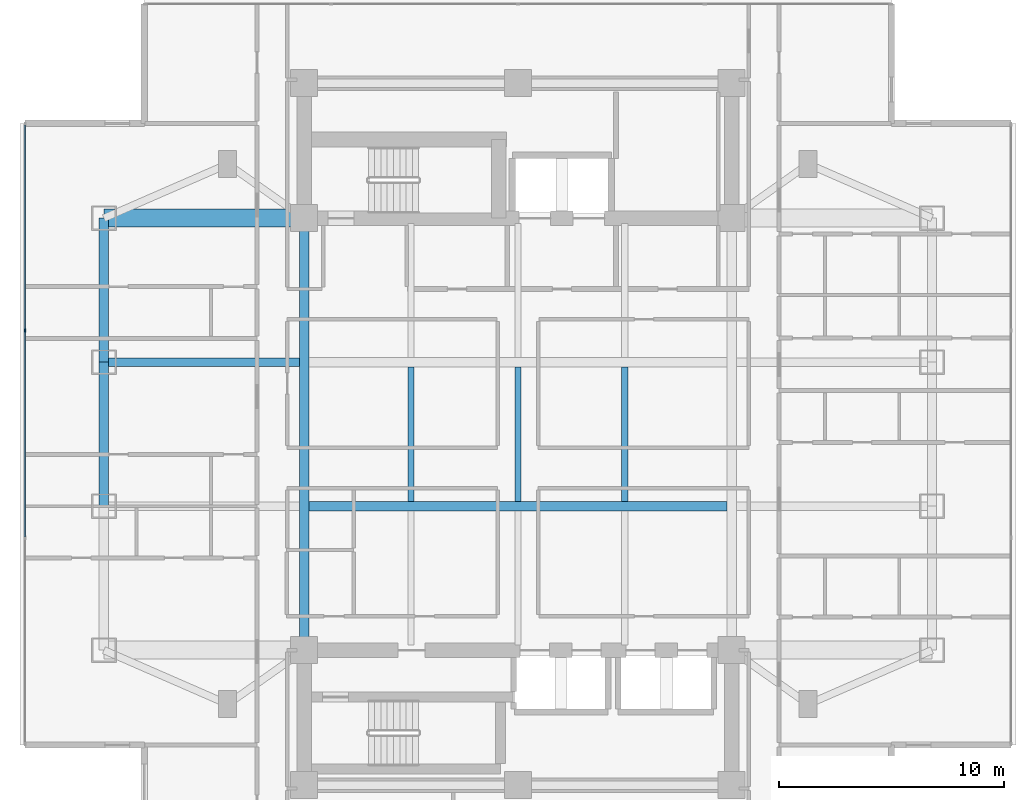
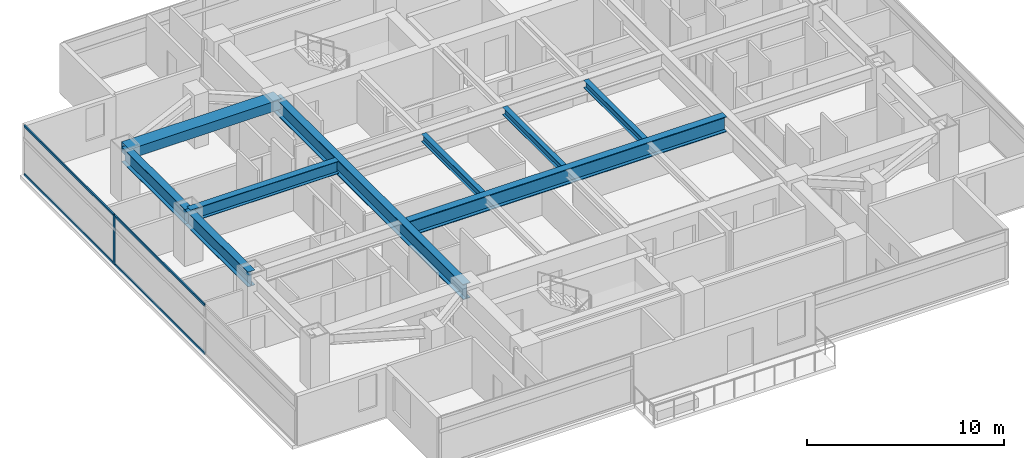
# One storey, part 3 of 26: 9 beams, 5 members, 1 element without a shape of its own.
"""IFC4 building model written with IfcOpenShell, lengths in metres."""

from ifc_helpers import new_model, si_unit, direction, frame, origin, origin_2d, place, context, subcontext, project, spatial, rectangle, i_section, extrude, material, material_profile, profile_set, type_object, element, aggregate, save


model = new_model("IFC4")

# Units and contexts
model_context = context("Model", 3, precision=1e-05, world=origin(), true_north=direction((0.0, 1.0)))
body_context = subcontext(model_context, "Body", "Model", "MODEL_VIEW")
ifc_project = project(units=[si_unit("LENGTHUNIT", "METRE"), si_unit("AREAUNIT", "SQUARE_METRE"), si_unit("VOLUMEUNIT", "CUBIC_METRE"), si_unit("PLANEANGLEUNIT", "RADIAN"), si_unit("MASSUNIT", "GRAM", prefix="KILO")], contexts=[model_context])

# Site, building, storey
site_placement = place(None, origin())
site = spatial("IfcSite", under=ifc_project, at=site_placement, CompositionType="ELEMENT")
building_placement = place(site_placement, origin())
building = spatial("IfcBuilding", under=site, at=building_placement, Name="Mirazonda Arch Towers", CompositionType="ELEMENT")
storey_placement = place(building_placement, frame((0.0, 0.0, 108.199951171875)))
storey = spatial("IfcBuildingStorey", under=building, at=storey_placement, Name="L30", CompositionType="ELEMENT", Elevation=108.199951171875)

# Beams
ifc_material_1 = material(Name="Steel ASTM A992 Grade 50", Category="steel")
ifc_material_profile_1 = material_profile(ifc_material_1, i_section(OverallWidth=0.41796875, OverallDepth=0.927001953125, WebThickness=0.019287109375, FlangeThickness=0.031982421875, at=origin_2d()), Name="W36X231")
ifc_profile_set_1 = profile_set([ifc_material_profile_1], Name="Steel ASTM A992 Grade 50")
beam_type_1 = type_object("IfcBeamType", Name="BM-EXT-W36X231", PredefinedType="USERDEFINED", material=ifc_profile_set_1)
beam_1_placement = place(storey_placement, frame((2.10009765625, 24.800048828125, 2.616455078125), z_axis=(0.0, 1.0, 0.0), x_axis=(-1.0, 0.0, 0.0)))
element("IfcBeam", 1, at=beam_1_placement, inside=storey, type_object=beam_type_1, Name="L30 Floor Beam BM-T1-L30-NS-W-24", ObjectType="GIRDER", PredefinedType="USERDEFINED", context=body_context, shape_type="SweptSolid", body=[
    extrude(i_section(OverallWidth=0.41796875, OverallDepth=0.927001953125, WebThickness=0.019287109375, FlangeThickness=0.031982421875, at=origin_2d()), origin(), (0.0, 0.0, 1.0), 6.39990234375),
])
beam_2_placement = place(storey_placement, frame((2.10009765625, 31.199951171875, 2.616455078125), z_axis=(0.0, 1.0, 0.0), x_axis=(-1.0, 0.0, 0.0)))
element("IfcBeam", 2, at=beam_2_placement, inside=storey, type_object=beam_type_1, Name="L30 Floor Beam BM-T1-L30-NS-W-31", ObjectType="GIRDER", PredefinedType="USERDEFINED", context=body_context, shape_type="SweptSolid", body=[
    extrude(i_section(OverallWidth=0.41796875, OverallDepth=0.927001953125, WebThickness=0.019287109375, FlangeThickness=0.031982421875, at=origin_2d()), origin(), (0.0, 0.0, 1.0), 6.400146484375),
])
ifc_material_profile_2 = material_profile(ifc_material_1, i_section(OverallWidth=0.280029296875, OverallDepth=0.462890625, WebThickness=0.0107421875, FlangeThickness=0.017333984375, at=origin_2d()), Name="W18X76")
ifc_profile_set_2 = profile_set([ifc_material_profile_2], Name="Steel ASTM A992 Grade 50")
beam_type_2 = type_object("IfcBeamType", Name="BM-INT-W18X76", PredefinedType="JOIST", material=ifc_profile_set_2)
for number, where, z_axis, x_axis, name in (
    (3, (15.75, 25.007568359375, 2.8486328125), (0.0, 1.0, 0.0), (-1.0, 0.0, 0.0), "L30 Floor Beam BM-T1-L30-J-157-24"),
    (4, (20.5, 25.007568359375, 2.8486328125), (0.0, 1.0, 0.0), (-1.0, 0.0, 0.0), "L30 Floor Beam BM-T1-L30-J-205-24"),
    (5, (25.25, 25.007568359375, 2.8486328125), (0.0, 1.0, 0.0), (-1.0, 0.0, 0.0), "L30 Floor Beam BM-T1-L30-J-252-24"),
):
    element("IfcBeam", number, at=place(storey_placement, frame(where, z_axis=z_axis, x_axis=x_axis)), inside=storey, type_object=beam_type_2, Name=name, PredefinedType="JOIST", context=body_context, shape_type="SweptSolid", body=[
        extrude(i_section(OverallWidth=0.280029296875, OverallDepth=0.462890625, WebThickness=0.0107421875, FlangeThickness=0.017333984375, at=origin_2d()), origin(), (0.0, 0.0, 1.0), 5.98486328125),
    ])
ifc_material_profile_3 = material_profile(ifc_material_1, i_section(OverallWidth=0.381103515625, OverallDepth=0.77294921875, WebThickness=0.0166015625, FlangeThickness=0.027099609375, at=origin_2d()), Name="W30X173")
ifc_profile_set_3 = profile_set([ifc_material_profile_3], Name="Steel ASTM A992 Grade 50")
beam_type_3 = type_object("IfcBeamType", Name="BM-INT-W30X173", PredefinedType="USERDEFINED", material=ifc_profile_set_3)
beam_3_placement = place(storey_placement, frame((2.10009765625, 31.199951171875, 2.693603515625), z_axis=(1.0, 0.0, 0.0), x_axis=(0.0, 1.0, 0.0)))
element("IfcBeam", 6, at=beam_3_placement, inside=storey, type_object=beam_type_3, Name="L30 Floor Beam BM-T1-L30-GW3", ObjectType="GIRDER", PredefinedType="USERDEFINED", context=body_context, shape_type="SweptSolid", body=[
    extrude(i_section(OverallWidth=0.381103515625, OverallDepth=0.77294921875, WebThickness=0.0166015625, FlangeThickness=0.027099609375, at=origin_2d()), origin(), (0.0, 0.0, 1.0), 8.6884765625),
])
ifc_material_profile_4 = material_profile(ifc_material_1, i_section(OverallWidth=0.423095703125, OverallDepth=0.947998046875, WebThickness=0.02392578125, FlangeThickness=0.042724609375, at=origin_2d()), Name="W36X302")
ifc_profile_set_4 = profile_set([ifc_material_profile_4], Name="Steel ASTM A992 Grade 50")
beam_type_4 = type_object("IfcBeamType", Name="BM-INT-W36X302", PredefinedType="USERDEFINED", material=ifc_profile_set_4)
beam_4_placement = place(storey_placement, frame((11.21142578125, 24.800048828125, 2.60595703125), z_axis=(1.0, 0.0, 0.0), x_axis=(0.0, 1.0, 0.0)))
element("IfcBeam", 7, at=beam_4_placement, inside=storey, type_object=beam_type_4, Name="L30 Floor Beam BM-T1-L30-GC2", ObjectType="GIRDER", PredefinedType="USERDEFINED", context=body_context, shape_type="SweptSolid", body=[
    extrude(i_section(OverallWidth=0.423095703125, OverallDepth=0.947998046875, WebThickness=0.02392578125, FlangeThickness=0.042724609375, at=origin_2d()), origin(), (0.0, 0.0, 1.0), 18.5771484375),
])
beam_5_placement = place(storey_placement, frame((11.0, 18.39990234375, 2.60595703125), z_axis=(0.0, 1.0, 0.0), x_axis=(-1.0, 0.0, 0.0)))
element("IfcBeam", 8, at=beam_5_placement, inside=storey, type_object=beam_type_4, Name="L30 Floor Beam BM-T1-L30-NS-CW-FULL", ObjectType="GIRDER", PredefinedType="USERDEFINED", context=body_context, shape_type="SweptSolid", body=[
    extrude(i_section(OverallWidth=0.423095703125, OverallDepth=0.947998046875, WebThickness=0.02392578125, FlangeThickness=0.042724609375, at=origin_2d()), origin(), (0.0, 0.0, 1.0), 19.2001953125),
])
ifc_material_2 = material(Name="Concrete C60/75", Category="concrete")
ifc_material_profile_5 = material_profile(ifc_material_2, rectangle(XDim=0.800048828125, YDim=0.60009765625, at=origin_2d()), Name="RCCB800x600")
ifc_profile_set_5 = profile_set([ifc_material_profile_5], Name="Concrete C60/75")
beam_type_5 = type_object("IfcBeamType", Name="CB-INT-RCCB800x600", PredefinedType="SPANDREL", material=ifc_profile_set_5)
beam_6_placement = place(storey_placement, frame((2.10009765625, 37.60009765625, 2.780029296875), z_axis=(1.0, 0.0, 0.0), x_axis=(0.0, 1.0, 0.0)))
element("IfcBeam", 9, at=beam_6_placement, inside=storey, type_object=beam_type_5, Name="L30 Floor Beam CBC-T1-L30-NW", PredefinedType="SPANDREL", context=body_context, shape_type="SweptSolid", body=[
    extrude(rectangle(XDim=0.800048828125, YDim=0.60009765625, at=origin_2d()), origin(), (0.0, 0.0, 1.0), 8.89990234375),
])

# Curtain wall, members
ifc_material_3 = material(Name="Anodised Aluminium and Low-E Glass", Category="aluminium")
curtain_wall_type = type_object("IfcCurtainWallType", Name="CW-HTL-UNIT", PredefinedType="NOTDEFINED", material=ifc_material_3)
curtain_wall_placement = place(storey_placement, origin())
curtain_wall = element("IfcCurtainWall", 10, at=curtain_wall_placement, inside=storey, type_object=curtain_wall_type, Name="L30 T1 W Facade CW-L30-T1-W", PredefinedType="NOTDEFINED")
ifc_material_4 = material(Name="Anodised Aluminium Alloy", Category="aluminium")
ifc_material_profile_6 = material_profile(ifc_material_4, rectangle(XDim=0.074951171875, YDim=0.1650390625, at=origin_2d()), Name="ALU-MULL-75x165")
ifc_profile_set_6 = profile_set([ifc_material_profile_6], Name="Anodised Aluminium Alloy")
member_type_1 = type_object("IfcMemberType", Name="MULL-CW-HTL-UNIT", PredefinedType="MULLION", material=ifc_profile_set_6)
member_1_placement = place(storey_placement, frame((-1.409912109375, 32.604248046875, 0.0), z_axis=(0.0, 0.0, 1.0), x_axis=(1.0, 0.0, 0.0)))
member_1 = element("IfcMember", 11, at=member_1_placement, type_object=member_type_1, Name="CW-112 mullion 2", PredefinedType="MULLION", context=body_context, shape_type="SweptSolid", body=[
    extrude(rectangle(XDim=0.074951171875, YDim=0.1650390625, at=origin_2d()), origin(), (0.0, 0.0, 1.0), 3.06005859375),
])
ifc_material_profile_7 = material_profile(ifc_material_4, rectangle(XDim=0.074951171875, YDim=0.14501953125, at=origin_2d()), Name="ALU-TRAN-75x145")
ifc_profile_set_7 = profile_set([ifc_material_profile_7], Name="Anodised Aluminium Alloy")
member_type_2 = type_object("IfcMemberType", Name="TRAN-CW-HTL-UNIT", PredefinedType="USERDEFINED", material=ifc_profile_set_7)
member_2_placement = place(storey_placement, frame((-1.409912109375, 41.738037109375, 0.03759765625), z_axis=(0.0, -1.0, 0.0), x_axis=(1.0, 0.0, 0.0)))
member_2 = element("IfcMember", 12, at=member_2_placement, type_object=member_type_2, Name="CW-112 transom 1.1", ObjectType="TRANSOM", PredefinedType="USERDEFINED", context=body_context, shape_type="SweptSolid", body=[
    extrude(rectangle(XDim=0.074951171875, YDim=0.14501953125, at=origin_2d()), origin(), (0.0, 0.0, 1.0), 9.09619140625),
])
member_3_placement = place(storey_placement, frame((-1.409912109375, 41.738037109375, 3.0224609375), z_axis=(0.0, -1.0, 0.0), x_axis=(1.0, 0.0, 0.0)))
member_3 = element("IfcMember", 13, at=member_3_placement, type_object=member_type_2, Name="CW-112 transom 1.2", ObjectType="TRANSOM", PredefinedType="USERDEFINED", context=body_context, shape_type="SweptSolid", body=[
    extrude(rectangle(XDim=0.074951171875, YDim=0.14501953125, at=origin_2d()), origin(), (0.0, 0.0, 1.0), 9.09619140625),
])
member_4_placement = place(storey_placement, frame((-1.409912109375, 32.56689453125, 0.03759765625), z_axis=(0.0, -1.0, 0.0), x_axis=(1.0, 0.0, 0.0)))
member_4 = element("IfcMember", 14, at=member_4_placement, type_object=member_type_2, Name="CW-112 transom 2.1", ObjectType="TRANSOM", PredefinedType="USERDEFINED", context=body_context, shape_type="SweptSolid", body=[
    extrude(rectangle(XDim=0.074951171875, YDim=0.14501953125, at=origin_2d()), origin(), (0.0, 0.0, 1.0), 9.1337890625),
])
member_5_placement = place(storey_placement, frame((-1.409912109375, 32.56689453125, 3.0224609375), z_axis=(0.0, -1.0, 0.0), x_axis=(1.0, 0.0, 0.0)))
member_5 = element("IfcMember", 15, at=member_5_placement, type_object=member_type_2, Name="CW-112 transom 2.2", ObjectType="TRANSOM", PredefinedType="USERDEFINED", context=body_context, shape_type="SweptSolid", body=[
    extrude(rectangle(XDim=0.074951171875, YDim=0.14501953125, at=origin_2d()), origin(), (0.0, 0.0, 1.0), 9.1337890625),
])
aggregate(curtain_wall, [member_1, member_2, member_3, member_4, member_5])

save(model, "model.ifc")
